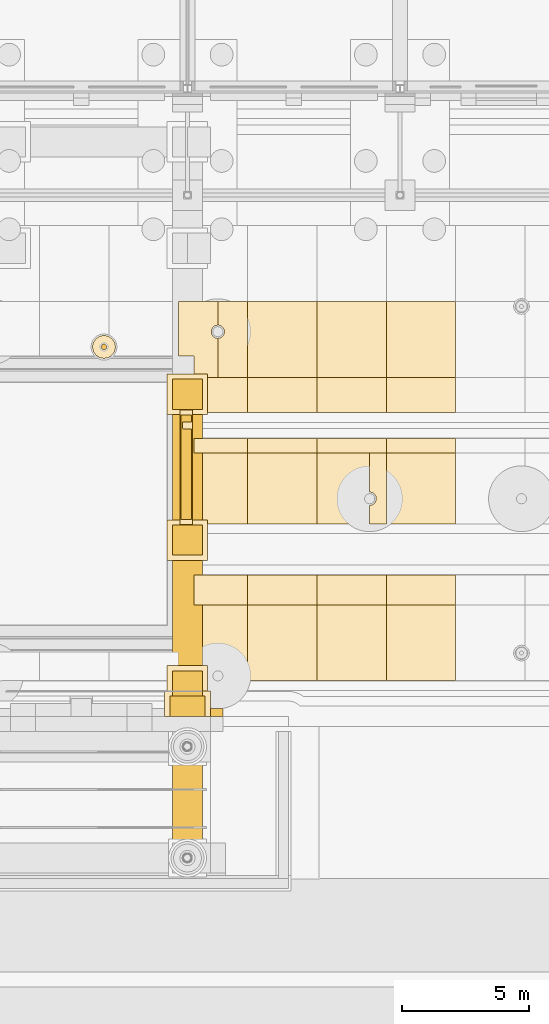
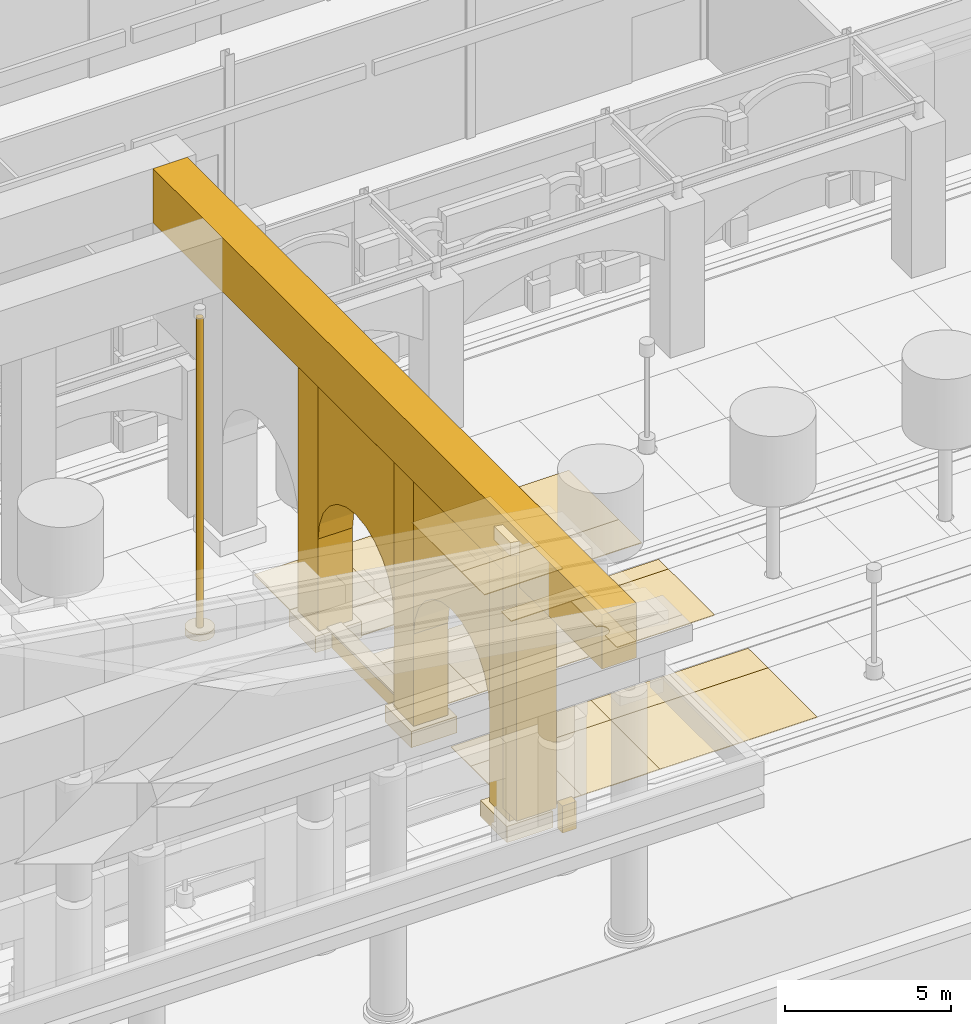
# One storey, part 129 of 222: 42 coverings.
"""IFC4 building model written with IfcOpenShell, lengths in metres."""

from ifc_helpers import new_model, si_unit, direction, frame, origin, origin_2d, place, context, subcontext, project, spatial, polyline, rectangle, circle, outline, extrude, material, layer, layer_set, type_object, element, save


model = new_model("IFC4")

# Units and contexts
model_context = context("Model", 3, precision=1e-05, world=origin(), true_north=direction((0.0, 1.0)))
body_context = subcontext(model_context, "Body", "Model", "MODEL_VIEW")
ifc_project = project(units=[si_unit("LENGTHUNIT", "METRE"), si_unit("AREAUNIT", "SQUARE_METRE"), si_unit("VOLUMEUNIT", "CUBIC_METRE"), si_unit("PLANEANGLEUNIT", "RADIAN"), si_unit("MASSUNIT", "GRAM", prefix="KILO")], contexts=[model_context])

# Site, building, storey
site_placement = place(None, origin())
site = spatial("IfcSite", under=ifc_project, at=site_placement, CompositionType="ELEMENT")
building_placement = place(site_placement, origin())
building = spatial("IfcBuilding", under=site, at=building_placement, Name="Sava Quay Ferry Terminal", CompositionType="ELEMENT")
storey_placement = place(building_placement, origin())
storey = spatial("IfcBuildingStorey", under=building, at=storey_placement, Name="L00", CompositionType="ELEMENT", Elevation=0.0)

# Coverings
ifc_material_1 = material(Name="Limestone Mutalj", Category="masonry")
ifc_layer_1 = layer(ifc_material_1, 0.800048828125)
ifc_layer_set_1 = layer_set([ifc_layer_1], Name="Limestone Mutalj")
covering_type_1 = type_object("IfcCoveringType", Name="Back wall pilaster 800", PredefinedType="CLADDING", material=ifc_layer_set_1)
covering_1_placement = place(storey_placement, frame((100.10009765625, 0.39990234375, 1.0), z_axis=(0.0, -1.0, 0.0), x_axis=(1.0, 0.0, 0.0)))
element("IfcCovering", 1, at=covering_1_placement, inside=storey, type_object=covering_type_1, Name="Back wall pilaster", PredefinedType="CLADDING", context=body_context, shape_type="SweptSolid", body=[
    extrude(outline(polyline([(0.0, 0.0), (1.39990234375, 0.0), (1.39990234375, 9.5810546875), (0.0, 9.798095703125), (0.0, 0.0)])), origin(), (0.0, 0.0, -1.0), 0.800048828125),
])
ifc_material_2 = material(Name="Limestone Mutalj", Category="masonry")
ifc_layer_2 = layer(ifc_material_2, 1.0)
ifc_layer_set_2 = layer_set([ifc_layer_2], Name="Limestone Mutalj")
covering_type_2 = type_object("IfcCoveringType", Name="Back wall pilaster capital 1000", PredefinedType="MOLDING", material=ifc_layer_set_2)
covering_2_placement = place(storey_placement, frame((99.89990234375, 0.39990234375, 10.8291015625), z_axis=(0.0, -1.0, 0.0), x_axis=(0.988195952481, 0.0, -0.153195168003)))
element("IfcCovering", 2, at=covering_2_placement, inside=storey, type_object=covering_type_2, Name="Back wall pilaster capital", PredefinedType="MOLDING", context=body_context, shape_type="SweptSolid", body=[
    extrude(outline(polyline([(0.0, 0.0), (1.8215504967462062, 0.0), (1.7449529127447014, 0.49409797624067686), (-0.07659758400150464, 0.49409797624067686), (0.0, 0.0)])), origin(), (0.0, 0.0, -1.0), 1.0),
])
ifc_material_3 = material(Name="Limestone Mutalj", Category="masonry")
ifc_layer_3 = layer(ifc_material_3, 0.030029296875)
ifc_layer_set_3 = layer_set([ifc_layer_3], Name="Limestone Mutalj")
covering_type_3 = type_object("IfcCoveringType", Name="Court paving tile 30", PredefinedType="FLOORING", material=ifc_layer_set_3)
covering_3_placement = place(storey_placement, origin())
element("IfcCovering", 3, at=covering_3_placement, inside=storey, type_object=covering_type_3, Name="Limestone paving tile", PredefinedType="FLOORING", context=body_context, shape_type="SweptSolid", body=[
    extrude(outline(polyline([(103.179931640625, 16.800048828125), (102.0, 16.800048828125), (102.0, 15.860107421875), (102.02587890625, 15.85888671875), (102.051025390625, 15.85498046875), (102.075927734375, 15.84912109375), (102.10009765625, 15.840087890625), (102.123046875, 15.8291015625), (102.14501953125, 15.81591796875), (102.1650390625, 15.801025390625), (102.18408203125, 15.782958984375), (102.200927734375, 15.764892578125), (102.216064453125, 15.743896484375), (102.22998046875, 15.721923828125), (102.239990234375, 15.698974609375), (102.2490234375, 15.675048828125), (102.2548828125, 15.64990234375), (102.259033203125, 15.625), (102.260009765625, 15.60009765625), (102.259033203125, 15.573974609375), (102.2548828125, 15.549072265625), (102.2490234375, 15.52392578125), (102.239990234375, 15.5), (102.22900390625, 15.47705078125), (102.216064453125, 15.455078125), (102.200927734375, 15.43505859375), (102.18310546875, 15.416015625), (102.1650390625, 15.39892578125), (102.14404296875, 15.384033203125), (102.1220703125, 15.3701171875), (102.09912109375, 15.360107421875), (102.074951171875, 15.35107421875), (102.050048828125, 15.344970703125), (102.02490234375, 15.341064453125), (102.0, 15.340087890625), (102.0, 13.800048828125), (103.179931640625, 13.800048828125), (103.179931640625, 16.800048828125)])), origin(), (0.0, 0.0, 1.0), 0.030029296875),
])
covering_4_placement = place(storey_placement, origin())
element("IfcCovering", 4, at=covering_4_placement, inside=storey, type_object=covering_type_3, Name="Limestone paving tile", PredefinedType="FLOORING", context=body_context, shape_type="SweptSolid", body=[
    extrude(outline(polyline([(105.919921875, 4.800048828125), (105.919921875, 5.989990234375), (103.179931640625, 5.989990234375), (103.179931640625, 4.800048828125), (105.919921875, 4.800048828125)])), origin(), (0.0, 0.0, 1.0), 0.030029296875),
])
covering_5_placement = place(storey_placement, origin())
element("IfcCovering", 5, at=covering_5_placement, inside=storey, type_object=covering_type_3, Name="Limestone paving tile", PredefinedType="FLOORING", context=body_context, shape_type="SweptSolid", body=[
    extrude(outline(polyline([(105.919921875, 10.800048828125), (105.919921875, 11.389892578125), (103.179931640625, 11.389892578125), (103.179931640625, 10.800048828125), (105.919921875, 10.800048828125)])), origin(), (0.0, 0.0, 1.0), 0.030029296875),
])
covering_6_placement = place(storey_placement, origin())
element("IfcCovering", 6, at=covering_6_placement, inside=storey, type_object=covering_type_3, Name="Limestone paving tile", PredefinedType="FLOORING", context=body_context, shape_type="SweptSolid", body=[
    extrude(outline(polyline([(103.179931640625, 13.800048828125), (103.179931640625, 12.409912109375), (105.919921875, 12.409912109375), (105.919921875, 13.800048828125), (103.179931640625, 13.800048828125)])), origin(), (0.0, 0.0, 1.0), 0.030029296875),
])
covering_7_placement = place(storey_placement, origin())
element("IfcCovering", 7, at=covering_7_placement, inside=storey, type_object=covering_type_3, Name="Limestone paving tile", PredefinedType="FLOORING", context=body_context, shape_type="SweptSolid", body=[
    extrude(outline(polyline([(105.919921875, 4.800048828125), (105.919921875, 1.81005859375), (108.659912109375, 1.81005859375), (108.659912109375, 4.800048828125), (105.919921875, 4.800048828125)])), origin(), (0.0, 0.0, 1.0), 0.030029296875),
])
covering_8_placement = place(storey_placement, origin())
element("IfcCovering", 8, at=covering_8_placement, inside=storey, type_object=covering_type_3, Name="Limestone paving tile", PredefinedType="FLOORING", context=body_context, shape_type="SweptSolid", body=[
    extrude(outline(polyline([(108.0, 10.800048828125), (105.919921875, 10.800048828125), (105.919921875, 8.010009765625), (108.0, 8.010009765625), (108.0, 8.739990234375), (107.97412109375, 8.740966796875), (107.948974609375, 8.7451171875), (107.924072265625, 8.7509765625), (107.89990234375, 8.760009765625), (107.876953125, 8.77099609375), (107.85498046875, 8.783935546875), (107.8349609375, 8.799072265625), (107.81591796875, 8.81689453125), (107.799072265625, 8.8349609375), (107.783935546875, 8.85595703125), (107.77001953125, 8.8779296875), (107.760009765625, 8.90087890625), (107.7509765625, 8.925048828125), (107.7451171875, 8.949951171875), (107.740966796875, 8.97509765625), (107.739990234375, 9.0), (107.740966796875, 9.02587890625), (107.7451171875, 9.051025390625), (107.7509765625, 9.075927734375), (107.760009765625, 9.10009765625), (107.77099609375, 9.123046875), (107.783935546875, 9.14501953125), (107.799072265625, 9.1650390625), (107.81689453125, 9.18408203125), (107.8349609375, 9.200927734375), (107.85595703125, 9.216064453125), (107.8779296875, 9.22998046875), (107.90087890625, 9.239990234375), (107.925048828125, 9.2490234375), (107.949951171875, 9.2548828125), (107.97509765625, 9.259033203125), (108.0, 9.260009765625), (108.0, 10.800048828125)])), origin(), (0.0, 0.0, 1.0), 0.030029296875),
])
covering_9_placement = place(storey_placement, origin())
element("IfcCovering", 9, at=covering_9_placement, inside=storey, type_object=covering_type_3, Name="Limestone paving tile", PredefinedType="FLOORING", context=body_context, shape_type="SweptSolid", body=[
    extrude(outline(polyline([(108.659912109375, 10.800048828125), (108.0, 10.800048828125), (108.0, 9.260009765625), (108.02587890625, 9.259033203125), (108.051025390625, 9.2548828125), (108.075927734375, 9.2490234375), (108.10009765625, 9.239990234375), (108.123046875, 9.22900390625), (108.14501953125, 9.216064453125), (108.1650390625, 9.200927734375), (108.18408203125, 9.18310546875), (108.200927734375, 9.1650390625), (108.216064453125, 9.14404296875), (108.22998046875, 9.1220703125), (108.239990234375, 9.09912109375), (108.2490234375, 9.074951171875), (108.2548828125, 9.050048828125), (108.259033203125, 9.02490234375), (108.260009765625, 9.0), (108.259033203125, 8.97412109375), (108.2548828125, 8.948974609375), (108.2490234375, 8.924072265625), (108.239990234375, 8.89990234375), (108.22900390625, 8.876953125), (108.216064453125, 8.85498046875), (108.200927734375, 8.8349609375), (108.18310546875, 8.81591796875), (108.1650390625, 8.799072265625), (108.14404296875, 8.783935546875), (108.1220703125, 8.77001953125), (108.09912109375, 8.760009765625), (108.074951171875, 8.7509765625), (108.050048828125, 8.7451171875), (108.02490234375, 8.740966796875), (108.0, 8.739990234375), (108.0, 8.010009765625), (108.659912109375, 8.010009765625), (108.659912109375, 10.800048828125)])), origin(), (0.0, 0.0, 1.0), 0.030029296875),
])
covering_10_placement = place(storey_placement, origin())
element("IfcCovering", 10, at=covering_10_placement, inside=storey, type_object=covering_type_3, Name="Limestone paving tile", PredefinedType="FLOORING", context=body_context, shape_type="SweptSolid", body=[
    extrude(outline(polyline([(105.919921875, 13.800048828125), (108.659912109375, 13.800048828125), (108.659912109375, 16.800048828125), (105.919921875, 16.800048828125), (105.919921875, 13.800048828125)])), origin(), (0.0, 0.0, 1.0), 0.030029296875),
])
covering_11_placement = place(storey_placement, origin())
element("IfcCovering", 11, at=covering_11_placement, inside=storey, type_object=covering_type_3, Name="Limestone paving tile", PredefinedType="FLOORING", context=body_context, shape_type="SweptSolid", body=[
    extrude(outline(polyline([(111.39990234375, 4.800048828125), (111.39990234375, 5.989990234375), (108.659912109375, 5.989990234375), (108.659912109375, 4.800048828125), (111.39990234375, 4.800048828125)])), origin(), (0.0, 0.0, 1.0), 0.030029296875),
])
covering_12_placement = place(storey_placement, origin())
element("IfcCovering", 12, at=covering_12_placement, inside=storey, type_object=covering_type_3, Name="Limestone paving tile", PredefinedType="FLOORING", context=body_context, shape_type="SweptSolid", body=[
    extrude(outline(polyline([(111.39990234375, 10.800048828125), (111.39990234375, 11.389892578125), (108.659912109375, 11.389892578125), (108.659912109375, 10.800048828125), (111.39990234375, 10.800048828125)])), origin(), (0.0, 0.0, 1.0), 0.030029296875),
])
covering_13_placement = place(storey_placement, origin())
element("IfcCovering", 13, at=covering_13_placement, inside=storey, type_object=covering_type_3, Name="Limestone paving tile", PredefinedType="FLOORING", context=body_context, shape_type="SweptSolid", body=[
    extrude(outline(polyline([(108.659912109375, 13.800048828125), (108.659912109375, 12.409912109375), (111.39990234375, 12.409912109375), (111.39990234375, 13.800048828125), (108.659912109375, 13.800048828125)])), origin(), (0.0, 0.0, 1.0), 0.030029296875),
])
covering_14_placement = place(storey_placement, origin())
element("IfcCovering", 14, at=covering_14_placement, inside=storey, type_object=covering_type_3, Name="Limestone paving tile", PredefinedType="FLOORING", context=body_context, shape_type="SweptSolid", body=[
    extrude(outline(polyline([(103.179931640625, 1.81005859375), (103.179931640625, 4.800048828125), (101.050048828125, 4.800048828125), (101.050048828125, 2.949951171875), (100.43994140625, 2.949951171875), (100.43994140625, 1.81005859375), (101.5419921875, 1.81005859375), (101.548095703125, 1.80810546875), (101.552978515625, 1.800048828125), (101.833984375, 1.800048828125), (101.799072265625, 1.8349609375), (101.783935546875, 1.85595703125), (101.77099609375, 1.876953125), (101.7509765625, 1.924072265625), (101.7451171875, 1.948974609375), (101.740966796875, 1.97509765625), (101.739990234375, 2.0), (101.740966796875, 2.02490234375), (101.7451171875, 2.051025390625), (101.7509765625, 2.075927734375), (101.77099609375, 2.123046875), (101.783935546875, 2.14501953125), (101.799072265625, 2.1650390625), (101.8349609375, 2.200927734375), (101.876953125, 2.22900390625), (101.89990234375, 2.239990234375), (101.925048828125, 2.2490234375), (101.948974609375, 2.2548828125), (101.97412109375, 2.259033203125), (102.0, 2.260009765625), (102.02587890625, 2.259033203125), (102.075927734375, 2.2490234375), (102.1220703125, 2.22998046875), (102.14501953125, 2.216064453125), (102.1650390625, 2.200927734375), (102.200927734375, 2.1650390625), (102.22900390625, 2.123046875), (102.2490234375, 2.075927734375), (102.2548828125, 2.051025390625), (102.259033203125, 2.02490234375), (102.260009765625, 2.0), (102.259033203125, 1.97509765625), (102.2548828125, 1.948974609375), (102.2490234375, 1.924072265625), (102.22900390625, 1.876953125), (102.216064453125, 1.85595703125), (102.200927734375, 1.8349609375), (102.166015625, 1.800048828125), (102.447021484375, 1.800048828125), (102.450927734375, 1.80810546875), (102.4580078125, 1.81005859375), (103.179931640625, 1.81005859375)])), origin(), (0.0, 0.0, 1.0), 0.030029296875),
])
covering_15_placement = place(storey_placement, origin())
element("IfcCovering", 15, at=covering_15_placement, inside=storey, type_object=covering_type_3, Name="Limestone paving tile", PredefinedType="FLOORING", context=body_context, shape_type="SweptSolid", body=[
    extrude(outline(polyline([(103.179931640625, 8.010009765625), (103.179931640625, 10.800048828125), (101.050048828125, 10.800048828125), (101.050048828125, 8.010009765625), (103.179931640625, 8.010009765625)])), origin(), (0.0, 0.0, 1.0), 0.030029296875),
])
covering_16_placement = place(storey_placement, origin())
element("IfcCovering", 16, at=covering_16_placement, inside=storey, type_object=covering_type_3, Name="Limestone paving tile", PredefinedType="FLOORING", context=body_context, shape_type="SweptSolid", body=[
    extrude(outline(polyline([(102.0, 15.860107421875), (102.0, 16.800048828125), (100.43994140625, 16.800048828125), (100.43994140625, 14.64990234375), (101.050048828125, 14.64990234375), (101.050048828125, 13.800048828125), (102.0, 13.800048828125), (102.0, 15.340087890625), (101.97412109375, 15.341064453125), (101.948974609375, 15.344970703125), (101.924072265625, 15.35107421875), (101.89990234375, 15.360107421875), (101.876953125, 15.37109375), (101.85498046875, 15.384033203125), (101.8349609375, 15.39892578125), (101.81591796875, 15.4169921875), (101.799072265625, 15.43505859375), (101.783935546875, 15.4560546875), (101.77001953125, 15.47802734375), (101.760009765625, 15.5009765625), (101.7509765625, 15.52490234375), (101.7451171875, 15.550048828125), (101.740966796875, 15.574951171875), (101.739990234375, 15.60009765625), (101.740966796875, 15.6259765625), (101.7451171875, 15.65087890625), (101.7509765625, 15.676025390625), (101.760009765625, 15.699951171875), (101.77099609375, 15.722900390625), (101.783935546875, 15.7451171875), (101.799072265625, 15.764892578125), (101.81689453125, 15.783935546875), (101.8349609375, 15.801025390625), (101.85595703125, 15.81591796875), (101.8779296875, 15.830078125), (101.90087890625, 15.840087890625), (101.925048828125, 15.84912109375), (101.949951171875, 15.85498046875), (101.97509765625, 15.85888671875), (102.0, 15.860107421875)])), origin(), (0.0, 0.0, 1.0), 0.030029296875),
])
ifc_material_4 = material(Name="Red sandstone Vrsac", Category="masonry")
ifc_layer_4 = layer(ifc_material_4, 0.030029296875)
ifc_layer_set_4 = layer_set([ifc_layer_4], Name="Red sandstone Vrsac")
covering_type_4 = type_object("IfcCoveringType", Name="Court paving tile sandstone 30", PredefinedType="FLOORING", material=ifc_layer_set_4)
covering_17_placement = place(storey_placement, origin())
element("IfcCovering", 17, at=covering_17_placement, inside=storey, type_object=covering_type_4, Name="Sandstone paving tile", PredefinedType="FLOORING", context=body_context, shape_type="SweptSolid", body=[
    extrude(outline(polyline([(103.179931640625, 4.800048828125), (103.179931640625, 1.81005859375), (105.919921875, 1.81005859375), (105.919921875, 4.800048828125), (103.179931640625, 4.800048828125)])), origin(), (0.0, 0.0, 1.0), 0.030029296875),
])
covering_18_placement = place(storey_placement, origin())
element("IfcCovering", 18, at=covering_18_placement, inside=storey, type_object=covering_type_4, Name="Sandstone paving tile", PredefinedType="FLOORING", context=body_context, shape_type="SweptSolid", body=[
    extrude(outline(polyline([(103.179931640625, 10.800048828125), (103.179931640625, 8.010009765625), (105.919921875, 8.010009765625), (105.919921875, 10.800048828125), (103.179931640625, 10.800048828125)])), origin(), (0.0, 0.0, 1.0), 0.030029296875),
])
covering_19_placement = place(storey_placement, origin())
element("IfcCovering", 19, at=covering_19_placement, inside=storey, type_object=covering_type_4, Name="Sandstone paving tile", PredefinedType="FLOORING", context=body_context, shape_type="SweptSolid", body=[
    extrude(outline(polyline([(103.179931640625, 13.800048828125), (105.919921875, 13.800048828125), (105.919921875, 16.800048828125), (103.179931640625, 16.800048828125), (103.179931640625, 13.800048828125)])), origin(), (0.0, 0.0, 1.0), 0.030029296875),
])
covering_20_placement = place(storey_placement, origin())
element("IfcCovering", 20, at=covering_20_placement, inside=storey, type_object=covering_type_4, Name="Sandstone paving tile", PredefinedType="FLOORING", context=body_context, shape_type="SweptSolid", body=[
    extrude(outline(polyline([(108.659912109375, 4.800048828125), (108.659912109375, 5.989990234375), (105.919921875, 5.989990234375), (105.919921875, 4.800048828125), (108.659912109375, 4.800048828125)])), origin(), (0.0, 0.0, 1.0), 0.030029296875),
])
covering_21_placement = place(storey_placement, origin())
element("IfcCovering", 21, at=covering_21_placement, inside=storey, type_object=covering_type_4, Name="Sandstone paving tile", PredefinedType="FLOORING", context=body_context, shape_type="SweptSolid", body=[
    extrude(outline(polyline([(108.659912109375, 10.800048828125), (108.659912109375, 11.389892578125), (105.919921875, 11.389892578125), (105.919921875, 10.800048828125), (108.659912109375, 10.800048828125)])), origin(), (0.0, 0.0, 1.0), 0.030029296875),
])
covering_22_placement = place(storey_placement, origin())
element("IfcCovering", 22, at=covering_22_placement, inside=storey, type_object=covering_type_4, Name="Sandstone paving tile", PredefinedType="FLOORING", context=body_context, shape_type="SweptSolid", body=[
    extrude(outline(polyline([(105.919921875, 13.800048828125), (105.919921875, 12.409912109375), (108.659912109375, 12.409912109375), (108.659912109375, 13.800048828125), (105.919921875, 13.800048828125)])), origin(), (0.0, 0.0, 1.0), 0.030029296875),
])
covering_23_placement = place(storey_placement, origin())
element("IfcCovering", 23, at=covering_23_placement, inside=storey, type_object=covering_type_4, Name="Sandstone paving tile", PredefinedType="FLOORING", context=body_context, shape_type="SweptSolid", body=[
    extrude(outline(polyline([(108.659912109375, 4.800048828125), (108.659912109375, 1.81005859375), (111.39990234375, 1.81005859375), (111.39990234375, 4.800048828125), (108.659912109375, 4.800048828125)])), origin(), (0.0, 0.0, 1.0), 0.030029296875),
])
covering_24_placement = place(storey_placement, origin())
element("IfcCovering", 24, at=covering_24_placement, inside=storey, type_object=covering_type_4, Name="Sandstone paving tile", PredefinedType="FLOORING", context=body_context, shape_type="SweptSolid", body=[
    extrude(outline(polyline([(108.659912109375, 10.800048828125), (108.659912109375, 8.010009765625), (111.39990234375, 8.010009765625), (111.39990234375, 10.800048828125), (108.659912109375, 10.800048828125)])), origin(), (0.0, 0.0, 1.0), 0.030029296875),
])
covering_25_placement = place(storey_placement, origin())
element("IfcCovering", 25, at=covering_25_placement, inside=storey, type_object=covering_type_4, Name="Sandstone paving tile", PredefinedType="FLOORING", context=body_context, shape_type="SweptSolid", body=[
    extrude(outline(polyline([(108.659912109375, 13.800048828125), (111.39990234375, 13.800048828125), (111.39990234375, 16.800048828125), (108.659912109375, 16.800048828125), (108.659912109375, 13.800048828125)])), origin(), (0.0, 0.0, 1.0), 0.030029296875),
])
covering_26_placement = place(storey_placement, origin())
element("IfcCovering", 26, at=covering_26_placement, inside=storey, type_object=covering_type_4, Name="Sandstone paving tile", PredefinedType="FLOORING", context=body_context, shape_type="SweptSolid", body=[
    extrude(outline(polyline([(101.050048828125, 4.800048828125), (103.179931640625, 4.800048828125), (103.179931640625, 5.989990234375), (101.050048828125, 5.989990234375), (101.050048828125, 4.800048828125)])), origin(), (0.0, 0.0, 1.0), 0.030029296875),
])
covering_27_placement = place(storey_placement, origin())
element("IfcCovering", 27, at=covering_27_placement, inside=storey, type_object=covering_type_4, Name="Sandstone paving tile", PredefinedType="FLOORING", context=body_context, shape_type="SweptSolid", body=[
    extrude(outline(polyline([(101.050048828125, 10.800048828125), (103.179931640625, 10.800048828125), (103.179931640625, 11.389892578125), (101.050048828125, 11.389892578125), (101.050048828125, 10.800048828125)])), origin(), (0.0, 0.0, 1.0), 0.030029296875),
])
covering_28_placement = place(storey_placement, origin())
element("IfcCovering", 28, at=covering_28_placement, inside=storey, type_object=covering_type_4, Name="Sandstone paving tile", PredefinedType="FLOORING", context=body_context, shape_type="SweptSolid", body=[
    extrude(outline(polyline([(103.179931640625, 12.409912109375), (103.179931640625, 13.800048828125), (101.050048828125, 13.800048828125), (101.050048828125, 12.409912109375), (103.179931640625, 12.409912109375)])), origin(), (0.0, 0.0, 1.0), 0.030029296875),
])
ifc_material_5 = material(Name="Steel S355", Category="steel")
ifc_layer_5 = layer(ifc_material_5, 0.89990234375)
ifc_layer_set_5 = layer_set([ifc_layer_5], Name="Steel S355")
covering_type_5 = type_object("IfcCoveringType", Name="Flagstaff base plate 900", PredefinedType="MOLDING", material=ifc_layer_set_5)
covering_29_placement = place(storey_placement, frame((97.5, 15.0, 0.25), z_axis=(0.0, 0.0, -1.0), x_axis=(1.0, 0.0, 0.0)))
element("IfcCovering", 29, at=covering_29_placement, inside=storey, type_object=covering_type_5, Name="Flagstaff base plate", PredefinedType="MOLDING", context=body_context, shape_type="SweptSolid", body=[
    extrude(circle(Radius=0.449951171875, at=origin_2d()), origin(), (0.0, 0.0, 1.0), 0.25),
])
ifc_material_6 = material(Name="Steel S355", Category="steel")
ifc_layer_6 = layer(ifc_material_6, 0.219970703125)
ifc_layer_set_6 = layer_set([ifc_layer_6], Name="Steel S355")
covering_type_6 = type_object("IfcCoveringType", Name="Flagstaff mast 220", PredefinedType="CLADDING", material=ifc_layer_set_6)
covering_30_placement = place(storey_placement, frame((97.5, 15.0, 11.64990234375), z_axis=(0.0, 0.0, -1.0), x_axis=(1.0, 0.0, 0.0)))
element("IfcCovering", 30, at=covering_30_placement, inside=storey, type_object=covering_type_6, Name="Flagstaff mast", PredefinedType="CLADDING", context=body_context, shape_type="SweptSolid", body=[
    extrude(circle(Radius=0.110107421875, at=origin_2d()), origin(), (0.0, 0.0, 1.0), 11.39990234375),
])
ifc_material_7 = material(Name="Limestone Mutalj", Category="masonry")
ifc_layer_7 = layer(ifc_material_7, 0.080078125)
ifc_layer_set_7 = layer_set([ifc_layer_7], Name="Limestone Mutalj")
covering_type_7 = type_object("IfcCoveringType", Name="Garden bed wall coping 450", PredefinedType="MOLDING", material=ifc_layer_set_7)
covering_31_placement = place(storey_placement, frame((0.0, 0.0, 0.60009765625)))
element("IfcCovering", 31, at=covering_31_placement, inside=storey, type_object=covering_type_7, Name="Garden bed wall coping", PredefinedType="MOLDING", context=body_context, shape_type="SweptSolid", body=[
    extrude(outline(polyline([(101.0, 7.987060546875), (101.0, 12.512939453125), (100.5, 12.512939453125), (100.5, 7.987060546875), (101.0, 7.987060546875)])), origin(), (0.0, 0.0, 1.0), 0.079833984375),
])
ifc_material_8 = material(Name="Limestone Mutalj", Category="masonry")
ifc_layer_8 = layer(ifc_material_8, 0.300048828125)
ifc_layer_set_8 = layer_set([ifc_layer_8], Name="Limestone Mutalj")
covering_type_8 = type_object("IfcCoveringType", Name="Pier rustication block 300", PredefinedType="CLADDING", material=ifc_layer_set_8)
covering_32_placement = place(storey_placement, frame((101.949951171875, 0.550048828125, 0.0), z_axis=(0.0, 0.0, 1.0), x_axis=(1.0, 0.0, 0.0)))
element("IfcCovering", 32, at=covering_32_placement, inside=storey, type_object=covering_type_8, Name="Pier rustication block", PredefinedType="CLADDING", context=body_context, shape_type="SweptSolid", body=[
    extrude(rectangle(XDim=0.5, YDim=0.300048828125, at=origin_2d()), origin(), (0.0, 0.0, 1.0), 1.0),
])
ifc_material_9 = material(Name="Limestone Mutalj", Category="masonry")
ifc_layer_9 = layer(ifc_material_9, 2.0)
ifc_layer_set_9 = layer_set([ifc_layer_9], Name="Limestone Mutalj")
covering_type_9 = type_object("IfcCoveringType", Name="Portico entablature 2000", PredefinedType="CLADDING", material=ifc_layer_set_9)
covering_33_placement = place(storey_placement, frame((100.800048828125, 8.949951171875, 9.60009765625), z_axis=(0.0, 0.0, 1.0), x_axis=(1.0, 0.0, 0.0)))
element("IfcCovering", 33, at=covering_33_placement, inside=storey, type_object=covering_type_9, Name="Portico entablature return", PredefinedType="CLADDING", context=body_context, shape_type="SweptSolid", body=[
    extrude(rectangle(XDim=1.199951171875, YDim=27.10009765625, at=origin_2d()), origin(), (0.0, 0.0, 1.0), 2.0),
])
ifc_material_10 = material(Name="Limestone Mutalj", Category="masonry")
ifc_layer_10 = layer(ifc_material_10, 0.39990234375)
ifc_layer_set_10 = layer_set([ifc_layer_10], Name="Limestone Mutalj")
covering_type_10 = type_object("IfcCoveringType", Name="Retaining wall 400", PredefinedType="CLADDING", material=ifc_layer_set_10)
covering_34_placement = place(storey_placement, origin())
element("IfcCovering", 34, at=covering_34_placement, inside=storey, type_object=covering_type_10, Name="Retaining wall", PredefinedType="CLADDING", context=body_context, shape_type="SweptSolid", body=[
    extrude(outline(polyline([(100.949951171875, 12.0400390625), (100.949951171875, 12.31298828125), (100.550048828125, 12.31298828125), (100.550048828125, 8.18701171875), (100.949951171875, 8.18701171875), (100.949951171875, 11.760009765625), (100.6298828125, 11.760009765625), (100.6220703125, 11.761962890625), (100.616943359375, 11.764892578125), (100.612060546875, 11.77197265625), (100.610107421875, 11.780029296875), (100.610107421875, 12.02001953125), (100.611083984375, 12.02587890625), (100.614990234375, 12.032958984375), (100.62109375, 12.0380859375), (100.6279296875, 12.0400390625), (100.949951171875, 12.0400390625)])), origin(), (0.0, 0.0, 1.0), 0.60009765625),
])
ifc_material_11 = material(Name="Limestone Mutalj", Category="masonry")
ifc_layer_11 = layer(ifc_material_11, 1.199951171875)
ifc_layer_set_11 = layer_set([ifc_layer_11], Name="Limestone Mutalj")
covering_type_11 = type_object("IfcCoveringType", Name="Return arcade spandrel 1200", PredefinedType="CLADDING", material=ifc_layer_set_11)
covering_35_placement = place(storey_placement, frame((100.199951171875, 2.199951171875, 4.0), z_axis=(-1.0, 0.0, 0.0), x_axis=(0.0, 0.0, 1.0)))
element("IfcCovering", 35, at=covering_35_placement, inside=storey, type_object=covering_type_11, Name="Return arcade spandrel", PredefinedType="CLADDING", context=body_context, shape_type="SweptSolid", body=[
    extrude(outline(polyline([(0.0, 0.0), (5.60009765625, 0.0), (5.60009765625, 4.566650390625), (0.0, 4.566650390625), (0.591064453125, 4.489013671875), (1.1416015625, 4.2607421875), (1.614501953125, 3.89794921875), (1.977294921875, 3.425048828125), (2.20556640625, 2.874267578125), (2.283203125, 2.283447265625), (2.20556640625, 1.6923828125), (1.977294921875, 1.141845703125), (1.614501953125, 0.6689453125), (1.1416015625, 0.305908203125), (0.591064453125, 0.077880859375), (0.0, 0.0)])), origin(), (0.0, 0.0, -1.0), 1.199951171875),
])
covering_36_placement = place(storey_placement, frame((100.199951171875, 7.966796875, 4.0), z_axis=(-1.0, 0.0, 0.0), x_axis=(0.0, 0.0, 1.0)))
element("IfcCovering", 36, at=covering_36_placement, inside=storey, type_object=covering_type_11, Name="Return arcade spandrel", PredefinedType="CLADDING", context=body_context, shape_type="SweptSolid", body=[
    extrude(outline(polyline([(0.0, 0.0), (5.60009765625, 0.0), (5.60009765625, 4.56640625), (0.0, 4.56640625), (0.591064453125, 4.48876953125), (1.1416015625, 4.260498046875), (1.614501953125, 3.897705078125), (1.977294921875, 3.4248046875), (2.20556640625, 2.874267578125), (2.283203125, 2.283203125), (2.20556640625, 1.692138671875), (1.977294921875, 1.1416015625), (1.614501953125, 0.668701171875), (1.1416015625, 0.305908203125), (0.591064453125, 0.07763671875), (0.0, 0.0)])), origin(), (0.0, 0.0, -1.0), 1.199951171875),
])
ifc_material_12 = material(Name="Limestone Mutalj", Category="masonry")
ifc_layer_12 = layer(ifc_material_12, 1.199951171875)
ifc_layer_set_12 = layer_set([ifc_layer_12], Name="Limestone Mutalj")
covering_type_12 = type_object("IfcCoveringType", Name="Return pier 1200", PredefinedType="CLADDING", material=ifc_layer_set_12)
for number, where, z_axis, x_axis, name in (
    (37, (100.800048828125, 1.60009765625, 0.60009765625), (0.0, 0.0, 1.0), (1.0, 0.0, 0.0), "Return pier"),
    (38, (100.800048828125, 7.36669921875, 0.60009765625), (0.0, 0.0, 1.0), (1.0, 0.0, 0.0), "Return pier"),
    (39, (100.800048828125, 13.13330078125, 0.60009765625), (0.0, 0.0, 1.0), (1.0, 0.0, 0.0), "Return pier"),
):
    element("IfcCovering", number, at=place(storey_placement, frame(where, z_axis=z_axis, x_axis=x_axis)), inside=storey, type_object=covering_type_12, Name=name, PredefinedType="CLADDING", context=body_context, shape_type="SweptSolid", body=[
        extrude(rectangle(XDim=1.199951171875, YDim=1.199951171875, at=origin_2d()), origin(), (0.0, 0.0, 1.0), 9.0),
    ])
ifc_material_13 = material(Name="Limestone Mutalj", Category="masonry")
ifc_layer_13 = layer(ifc_material_13, 1.60009765625)
ifc_layer_set_13 = layer_set([ifc_layer_13], Name="Limestone Mutalj")
covering_type_13 = type_object("IfcCoveringType", Name="Return pier base 1600", PredefinedType="MOLDING", material=ifc_layer_set_13)
for number, where, z_axis, x_axis, name in (
    (40, (100.800048828125, 1.60009765625, 0.0), (0.0, 0.0, 1.0), (1.0, 0.0, 0.0), "Return pier base"),
    (41, (100.800048828125, 7.36669921875, 0.0), (0.0, 0.0, 1.0), (1.0, 0.0, 0.0), "Return pier base"),
    (42, (100.800048828125, 13.13330078125, 0.0), (0.0, 0.0, 1.0), (1.0, 0.0, 0.0), "Return pier base"),
):
    element("IfcCovering", number, at=place(storey_placement, frame(where, z_axis=z_axis, x_axis=x_axis)), inside=storey, type_object=covering_type_13, Name=name, PredefinedType="MOLDING", context=body_context, shape_type="SweptSolid", body=[
        extrude(rectangle(XDim=1.60009765625, YDim=1.60009765625, at=origin_2d()), origin(), (0.0, 0.0, 1.0), 0.60009765625),
    ])

save(model, "model.ifc")
